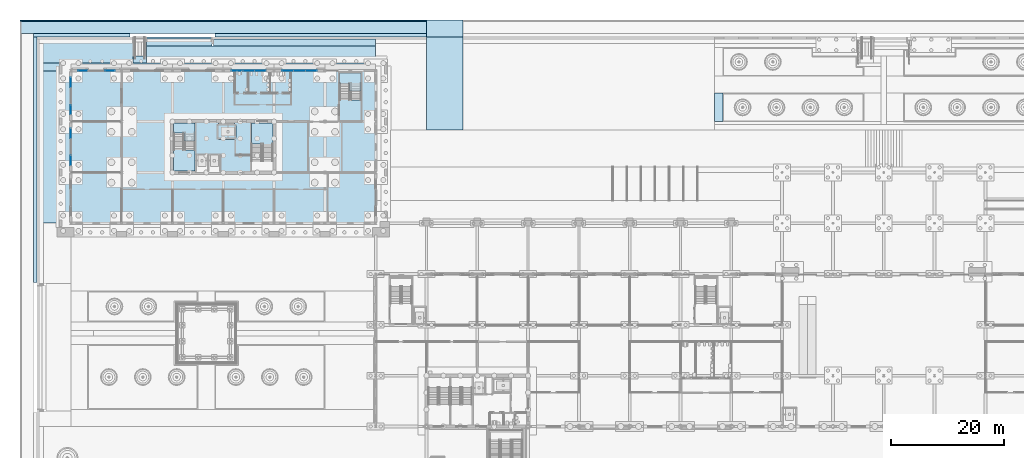
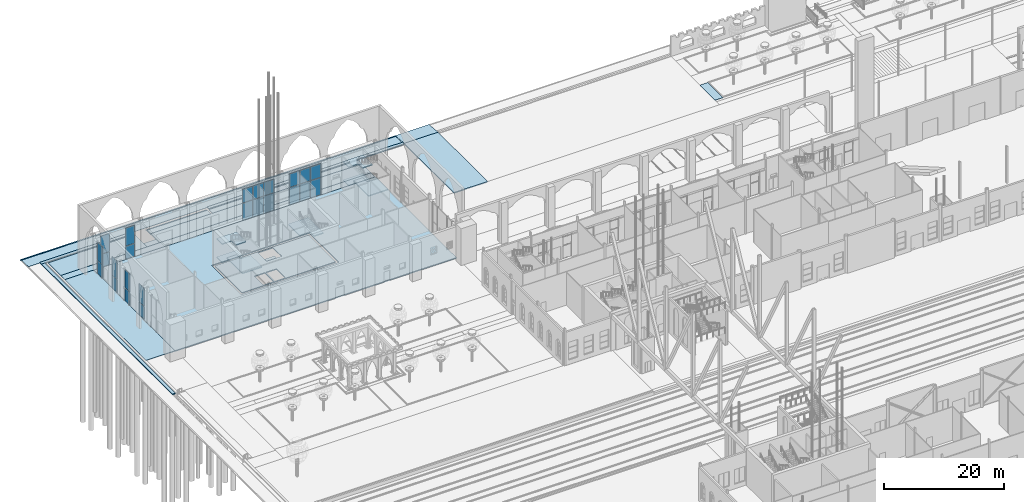
# One storey, part 82 of 250: 26 slabs, 24 plates, 11 elements without a shape of their own.
"""IFC4 building model written with IfcOpenShell, lengths in metres."""

from ifc_helpers import new_model, si_unit, direction, frame, origin, origin_2d, place, context, subcontext, project, spatial, polyline, rectangle, outline, extrude, material, layer, layer_set, type_object, element, aggregate, save


model = new_model("IFC4")

# Units and contexts
model_context = context("Model", 3, precision=1e-05, world=origin(), true_north=direction((0.0, 1.0)))
body_context = subcontext(model_context, "Body", "Model", "MODEL_VIEW")
ifc_project = project(units=[si_unit("LENGTHUNIT", "METRE"), si_unit("AREAUNIT", "SQUARE_METRE"), si_unit("VOLUMEUNIT", "CUBIC_METRE"), si_unit("PLANEANGLEUNIT", "RADIAN"), si_unit("MASSUNIT", "GRAM", prefix="KILO")], contexts=[model_context])

# Site, building, storey
site_placement = place(None, origin())
site = spatial("IfcSite", under=ifc_project, at=site_placement, CompositionType="ELEMENT")
building_placement = place(site_placement, origin())
building = spatial("IfcBuilding", under=site, at=building_placement, Name="Baradari Gate Terminus", CompositionType="ELEMENT")
storey_placement = place(building_placement, origin())
storey = spatial("IfcBuildingStorey", under=building, at=storey_placement, Name="L00", CompositionType="ELEMENT", Elevation=0.0)

# Slabs
ifc_material_1 = material(Name="Concrete C32/40", Category="concrete")
ifc_layer_1 = layer(ifc_material_1, 0.12)
ifc_material_2 = material(Name="Asphalt")
ifc_layer_2 = layer(ifc_material_2, 0.08)
ifc_layer_set_1 = layer_set([ifc_layer_1, ifc_layer_2], Name="Concrete C32/40")
slab_type_1 = type_object("IfcSlabType", Name="Asphalt carriageway slab SL14 200", PredefinedType="BASESLAB", material=ifc_layer_set_1)
slab_1_placement = place(storey_placement, frame((0.0, 0.0, -0.199951171875)))
element("IfcSlab", 1, at=slab_1_placement, inside=storey, type_object=slab_type_1, Name="Forecourt entry drive", PredefinedType="BASESLAB", context=body_context, shape_type="SweptSolid", body=[
    extrude(outline(polyline([(78.5, 133.5), (78.5, 150.0), (72.0, 150.0), (72.0, 133.5), (78.5, 133.5)])), origin(), (0.0, 0.0, 1.0), 0.199951171875),
])
ifc_layer_3 = layer(ifc_material_1, 0.11)
ifc_material_3 = material(Name="Concrete paving flags", Category="concrete")
ifc_layer_4 = layer(ifc_material_3, 0.04)
ifc_layer_set_2 = layer_set([ifc_layer_3, ifc_layer_4], Name="Concrete C32/40")
slab_type_2 = type_object("IfcSlabType", Name="Concrete paving slab SL12 150", PredefinedType="BASESLAB", material=ifc_layer_set_2)
slab_2_placement = place(storey_placement, frame((0.0, 0.0, -0.14990234375)))
element("IfcSlab", 2, at=slab_2_placement, inside=storey, type_object=slab_type_2, Name="West street strip", PredefinedType="BASESLAB", context=body_context, shape_type="SweptSolid", body=[
    extrude(outline(polyline([(9.0, 117.0), (9.0, 144.0), (3.39990234375, 144.0), (3.39990234375, 117.0), (9.0, 117.0)])), origin(), (0.0, 0.0, 1.0), 0.14990234375),
])
slab_3_placement = place(storey_placement, frame((0.0, 0.0, -0.14990234375)))
element("IfcSlab", 3, at=slab_3_placement, inside=storey, type_object=slab_type_2, Name="North street strip 1", PredefinedType="BASESLAB", context=body_context, shape_type="SweptSolid", body=[
    extrude(outline(polyline([(63.0, 144.0), (63.0, 145.3798828125), (3.39990234375, 145.3798828125), (3.39990234375, 144.0), (63.0, 144.0)])), origin(), (0.0, 0.0, 1.0), 0.14990234375),
])
slab_4_placement = place(storey_placement, frame((0.0, 0.0, -0.14990234375)))
element("IfcSlab", 4, at=slab_4_placement, inside=storey, type_object=slab_type_2, Name="North street strip 2", PredefinedType="BASESLAB", context=body_context, shape_type="SweptSolid", body=[
    extrude(outline(polyline([(63.0, 145.3798828125), (63.0, 148.39990234375), (22.39990234375, 148.39990234375), (22.39990234375, 145.3798828125), (63.0, 145.3798828125)])), origin(), (0.0, 0.0, 1.0), 0.14990234375),
])
slab_5_placement = place(storey_placement, frame((0.0, 0.0, -0.14990234375)))
element("IfcSlab", 5, at=slab_5_placement, inside=storey, type_object=slab_type_2, Name="North street strip 3", PredefinedType="BASESLAB", context=body_context, shape_type="SweptSolid", body=[
    extrude(outline(polyline([(20.0, 145.3798828125), (20.0, 149.60009765625), (3.39990234375, 149.60009765625), (3.39990234375, 145.3798828125), (20.0, 145.3798828125)])), origin(), (0.0, 0.0, 1.0), 0.14990234375),
])
slab_6_placement = place(storey_placement, frame((0.0, 0.0, -0.14990234375)))
element("IfcSlab", 6, at=slab_6_placement, inside=storey, type_object=slab_type_2, Name="North street strip 4", PredefinedType="BASESLAB", context=body_context, shape_type="SweptSolid", body=[
    extrude(outline(polyline([(63.0, 148.39990234375), (63.0, 149.60009765625), (34.300048828125, 149.60009765625), (34.300048828125, 148.39990234375), (63.0, 148.39990234375)])), origin(), (0.0, 0.0, 1.0), 0.14990234375),
])

# Curtain wall, plates
ifc_material_4 = material(Name="Aluminium 6063-T6", Category="aluminium")
curtain_wall_type_1 = type_object("IfcCurtainWallType", Name="Curtain wall CW-12 shopfront, other height", PredefinedType="NOTDEFINED", material=ifc_material_4)
curtain_wall_1_placement = place(storey_placement, origin())
curtain_wall_1 = element("IfcCurtainWall", 7, at=curtain_wall_1_placement, inside=storey, type_object=curtain_wall_type_1, Name="Shopfront curtain wall CW-12 TN bay 1 L00", PredefinedType="NOTDEFINED")
ifc_material_5 = material(Name="Insulating glass unit", Category="glass")
ifc_layer_5 = layer(ifc_material_5, 0.02001953125)
ifc_layer_set_3 = layer_set([ifc_layer_5], Name="Insulating glass unit")
plate_type_1 = type_object("IfcPlateType", Name="Curtain wall glazing unit CP-12 20", PredefinedType="CURTAIN_PANEL", material=ifc_layer_set_3)
plate_1_placement = place(storey_placement, frame((11.11279296875, 144.0, 0.06494140625), z_axis=(0.0, 0.0, 1.0), x_axis=(1.0, 0.0, 0.0)))
plate_1 = element("IfcPlate", 8, at=plate_1_placement, type_object=plate_type_1, Name="CW-12 panel 1.1", PredefinedType="CURTAIN_PANEL", context=body_context, shape_type="SweptSolid", body=[
    extrude(rectangle(XDim=1.669921875, YDim=0.02001953125, at=origin_2d()), origin(), (0.0, 0.0, 1.0), 2.6025390625),
])
plate_2_placement = place(storey_placement, frame((11.11279296875, 144.0, 2.732421875), z_axis=(0.0, 0.0, 1.0), x_axis=(1.0, 0.0, 0.0)))
plate_2 = element("IfcPlate", 9, at=plate_2_placement, type_object=plate_type_1, Name="CW-12 panel 1.2", PredefinedType="CURTAIN_PANEL", context=body_context, shape_type="SweptSolid", body=[
    extrude(rectangle(XDim=1.669921875, YDim=0.02001953125, at=origin_2d()), origin(), (0.0, 0.0, 1.0), 3.662109375),
])
aggregate(curtain_wall_1, [plate_1, plate_2])

curtain_wall_2_placement = place(storey_placement, origin())
curtain_wall_2 = element("IfcCurtainWall", 10, at=curtain_wall_2_placement, inside=storey, type_object=curtain_wall_type_1, Name="Shopfront curtain wall CW-12 TN bay 1 L00", PredefinedType="NOTDEFINED")
plate_3_placement = place(storey_placement, frame((15.912841796875, 144.0, 0.06494140625), z_axis=(0.0, 0.0, 1.0), x_axis=(1.0, 0.0, 0.0)))
plate_3 = element("IfcPlate", 11, at=plate_3_placement, type_object=plate_type_1, Name="CW-12 panel 1.1", PredefinedType="CURTAIN_PANEL", context=body_context, shape_type="SweptSolid", body=[
    extrude(rectangle(XDim=1.669921875, YDim=0.02001953125, at=origin_2d()), origin(), (0.0, 0.0, 1.0), 2.6025390625),
])
plate_4_placement = place(storey_placement, frame((15.912841796875, 144.0, 2.732421875), z_axis=(0.0, 0.0, 1.0), x_axis=(1.0, 0.0, 0.0)))
plate_4 = element("IfcPlate", 12, at=plate_4_placement, type_object=plate_type_1, Name="CW-12 panel 1.2", PredefinedType="CURTAIN_PANEL", context=body_context, shape_type="SweptSolid", body=[
    extrude(rectangle(XDim=1.669921875, YDim=0.02001953125, at=origin_2d()), origin(), (0.0, 0.0, 1.0), 3.662109375),
])
aggregate(curtain_wall_2, [plate_3, plate_4])

curtain_wall_3_placement = place(storey_placement, origin())
curtain_wall_3 = element("IfcCurtainWall", 13, at=curtain_wall_3_placement, inside=storey, type_object=curtain_wall_type_1, Name="Shopfront curtain wall CW-12 TW bay 14 L00", PredefinedType="NOTDEFINED")
plate_5_placement = place(storey_placement, frame((9.0, 128.10009765625, 0.06494140625), z_axis=(0.0, 0.0, 1.0), x_axis=(0.0, 1.0, 0.0)))
plate_5 = element("IfcPlate", 14, at=plate_5_placement, type_object=plate_type_1, Name="CW-12 panel 1.1", PredefinedType="CURTAIN_PANEL", context=body_context, shape_type="SweptSolid", body=[
    extrude(rectangle(XDim=1.669921875, YDim=0.02001953125, at=origin_2d()), origin(), (0.0, 0.0, 1.0), 2.6025390625),
])
plate_6_placement = place(storey_placement, frame((9.0, 128.10009765625, 2.732421875), z_axis=(0.0, 0.0, 1.0), x_axis=(0.0, 1.0, 0.0)))
plate_6 = element("IfcPlate", 15, at=plate_6_placement, type_object=plate_type_1, Name="CW-12 panel 1.2", PredefinedType="CURTAIN_PANEL", context=body_context, shape_type="SweptSolid", body=[
    extrude(rectangle(XDim=1.669921875, YDim=0.02001953125, at=origin_2d()), origin(), (0.0, 0.0, 1.0), 3.662109375),
])
aggregate(curtain_wall_3, [plate_5, plate_6])

curtain_wall_4_placement = place(storey_placement, origin())
curtain_wall_4 = element("IfcCurtainWall", 16, at=curtain_wall_4_placement, inside=storey, type_object=curtain_wall_type_1, Name="Shopfront curtain wall CW-12 TW bay 14 L00", PredefinedType="NOTDEFINED")
plate_7_placement = place(storey_placement, frame((9.0, 132.89990234375, 0.06494140625), z_axis=(0.0, 0.0, 1.0), x_axis=(0.0, 1.0, 0.0)))
plate_7 = element("IfcPlate", 17, at=plate_7_placement, type_object=plate_type_1, Name="CW-12 panel 1.1", PredefinedType="CURTAIN_PANEL", context=body_context, shape_type="SweptSolid", body=[
    extrude(rectangle(XDim=1.669921875, YDim=0.02001953125, at=origin_2d()), origin(), (0.0, 0.0, 1.0), 2.6025390625),
])
plate_8_placement = place(storey_placement, frame((9.0, 132.89990234375, 2.732421875), z_axis=(0.0, 0.0, 1.0), x_axis=(0.0, 1.0, 0.0)))
plate_8 = element("IfcPlate", 18, at=plate_8_placement, type_object=plate_type_1, Name="CW-12 panel 1.2", PredefinedType="CURTAIN_PANEL", context=body_context, shape_type="SweptSolid", body=[
    extrude(rectangle(XDim=1.669921875, YDim=0.02001953125, at=origin_2d()), origin(), (0.0, 0.0, 1.0), 3.662109375),
])
aggregate(curtain_wall_4, [plate_7, plate_8])

curtain_wall_5_placement = place(storey_placement, origin())
curtain_wall_5 = element("IfcCurtainWall", 19, at=curtain_wall_5_placement, inside=storey, type_object=curtain_wall_type_1, Name="Shopfront curtain wall CW-12 TW bay 15 L00", PredefinedType="NOTDEFINED")
plate_9_placement = place(storey_placement, frame((9.0, 137.10009765625, 0.06494140625), z_axis=(0.0, 0.0, 1.0), x_axis=(0.0, 1.0, 0.0)))
plate_9 = element("IfcPlate", 20, at=plate_9_placement, type_object=plate_type_1, Name="CW-12 panel 1.1", PredefinedType="CURTAIN_PANEL", context=body_context, shape_type="SweptSolid", body=[
    extrude(rectangle(XDim=1.669921875, YDim=0.02001953125, at=origin_2d()), origin(), (0.0, 0.0, 1.0), 2.6025390625),
])
plate_10_placement = place(storey_placement, frame((9.0, 137.10009765625, 2.732421875), z_axis=(0.0, 0.0, 1.0), x_axis=(0.0, 1.0, 0.0)))
plate_10 = element("IfcPlate", 21, at=plate_10_placement, type_object=plate_type_1, Name="CW-12 panel 1.2", PredefinedType="CURTAIN_PANEL", context=body_context, shape_type="SweptSolid", body=[
    extrude(rectangle(XDim=1.669921875, YDim=0.02001953125, at=origin_2d()), origin(), (0.0, 0.0, 1.0), 3.662109375),
])
aggregate(curtain_wall_5, [plate_9, plate_10])

curtain_wall_6_placement = place(storey_placement, origin())
curtain_wall_6 = element("IfcCurtainWall", 22, at=curtain_wall_6_placement, inside=storey, type_object=curtain_wall_type_1, Name="Shopfront curtain wall CW-12 TW bay 15 L00", PredefinedType="NOTDEFINED")
plate_11_placement = place(storey_placement, frame((9.0, 141.89990234375, 0.06494140625), z_axis=(0.0, 0.0, 1.0), x_axis=(0.0, 1.0, 0.0)))
plate_11 = element("IfcPlate", 23, at=plate_11_placement, type_object=plate_type_1, Name="CW-12 panel 1.1", PredefinedType="CURTAIN_PANEL", context=body_context, shape_type="SweptSolid", body=[
    extrude(rectangle(XDim=1.669921875, YDim=0.02001953125, at=origin_2d()), origin(), (0.0, 0.0, 1.0), 2.6025390625),
])
plate_12_placement = place(storey_placement, frame((9.0, 141.89990234375, 2.732421875), z_axis=(0.0, 0.0, 1.0), x_axis=(0.0, 1.0, 0.0)))
plate_12 = element("IfcPlate", 24, at=plate_12_placement, type_object=plate_type_1, Name="CW-12 panel 1.2", PredefinedType="CURTAIN_PANEL", context=body_context, shape_type="SweptSolid", body=[
    extrude(rectangle(XDim=1.669921875, YDim=0.02001953125, at=origin_2d()), origin(), (0.0, 0.0, 1.0), 3.662109375),
])
aggregate(curtain_wall_6, [plate_11, plate_12])

ifc_material_6 = material(Name="Aluminium 6063-T6", Category="aluminium")
curtain_wall_type_2 = type_object("IfcCurtainWallType", Name="Curtain wall CW-7 lobby and lounge glazing", PredefinedType="NOTDEFINED", material=ifc_material_6)
curtain_wall_7_placement = place(storey_placement, origin())
curtain_wall_7 = element("IfcCurtainWall", 25, at=curtain_wall_7_placement, inside=storey, type_object=curtain_wall_type_2, Name="Glazed curtain wall CW-7 TN bay 5 L00", PredefinedType="NOTDEFINED")
ifc_material_7 = material(Name="Insulating glass unit", Category="glass")
ifc_layer_6 = layer(ifc_material_7, 0.030029296875)
ifc_layer_set_4 = layer_set([ifc_layer_6], Name="Insulating glass unit")
plate_type_2 = type_object("IfcPlateType", Name="Curtain wall glazing unit CP-7 30", PredefinedType="CURTAIN_PANEL", material=ifc_layer_set_4)
plate_13_placement = place(storey_placement, frame((38.452880859375, 144.0, 0.080078125), z_axis=(0.0, 0.0, 1.0), x_axis=(1.0, 0.0, 0.0)))
plate_13 = element("IfcPlate", 26, at=plate_13_placement, type_object=plate_type_2, Name="CW-7 panel 1.1", PredefinedType="CURTAIN_PANEL", context=body_context, shape_type="SweptSolid", body=[
    extrude(rectangle(XDim=1.947021484375, YDim=0.030029296875, at=origin_2d()), origin(), (0.0, 0.0, 1.0), 3.47998046875),
])
plate_14_placement = place(storey_placement, frame((38.452880859375, 144.0, 3.64013671875), z_axis=(0.0, 0.0, 1.0), x_axis=(1.0, 0.0, 0.0)))
plate_14 = element("IfcPlate", 27, at=plate_14_placement, type_object=plate_type_2, Name="CW-7 panel 1.2", PredefinedType="CURTAIN_PANEL", context=body_context, shape_type="SweptSolid", body=[
    extrude(rectangle(XDim=1.947021484375, YDim=0.030029296875, at=origin_2d()), origin(), (0.0, 0.0, 1.0), 2.739501953125),
])
plate_15_placement = place(storey_placement, frame((40.5, 144.0, 0.080078125), z_axis=(0.0, 0.0, 1.0), x_axis=(1.0, 0.0, 0.0)))
plate_15 = element("IfcPlate", 28, at=plate_15_placement, type_object=plate_type_2, Name="CW-7 panel 2.1", PredefinedType="CURTAIN_PANEL", context=body_context, shape_type="SweptSolid", body=[
    extrude(rectangle(XDim=1.987060546875, YDim=0.030029296875, at=origin_2d()), origin(), (0.0, 0.0, 1.0), 3.47998046875),
])
plate_16_placement = place(storey_placement, frame((40.5, 144.0, 3.64013671875), z_axis=(0.0, 0.0, 1.0), x_axis=(1.0, 0.0, 0.0)))
plate_16 = element("IfcPlate", 29, at=plate_16_placement, type_object=plate_type_2, Name="CW-7 panel 2.2", PredefinedType="CURTAIN_PANEL", context=body_context, shape_type="SweptSolid", body=[
    extrude(rectangle(XDim=1.987060546875, YDim=0.030029296875, at=origin_2d()), origin(), (0.0, 0.0, 1.0), 2.739501953125),
])
plate_17_placement = place(storey_placement, frame((42.547119140625, 144.0, 0.080078125), z_axis=(0.0, 0.0, 1.0), x_axis=(1.0, 0.0, 0.0)))
plate_17 = element("IfcPlate", 30, at=plate_17_placement, type_object=plate_type_2, Name="CW-7 panel 3.1", PredefinedType="CURTAIN_PANEL", context=body_context, shape_type="SweptSolid", body=[
    extrude(rectangle(XDim=1.947021484375, YDim=0.030029296875, at=origin_2d()), origin(), (0.0, 0.0, 1.0), 3.47998046875),
])
plate_18_placement = place(storey_placement, frame((42.547119140625, 144.0, 3.64013671875), z_axis=(0.0, 0.0, 1.0), x_axis=(1.0, 0.0, 0.0)))
plate_18 = element("IfcPlate", 31, at=plate_18_placement, type_object=plate_type_2, Name="CW-7 panel 3.2", PredefinedType="CURTAIN_PANEL", context=body_context, shape_type="SweptSolid", body=[
    extrude(rectangle(XDim=1.947021484375, YDim=0.030029296875, at=origin_2d()), origin(), (0.0, 0.0, 1.0), 2.739501953125),
])
aggregate(curtain_wall_7, [plate_13, plate_14, plate_15, plate_16, plate_17, plate_18])

curtain_wall_8_placement = place(storey_placement, origin())
curtain_wall_8 = element("IfcCurtainWall", 32, at=curtain_wall_8_placement, inside=storey, type_object=curtain_wall_type_2, Name="Glazed curtain wall CW-7 TN bay 6 L00", PredefinedType="NOTDEFINED")
plate_19_placement = place(storey_placement, frame((47.452880859375, 144.0, 0.080078125), z_axis=(0.0, 0.0, 1.0), x_axis=(1.0, 0.0, 0.0)))
plate_19 = element("IfcPlate", 33, at=plate_19_placement, type_object=plate_type_2, Name="CW-7 panel 1.1", PredefinedType="CURTAIN_PANEL", context=body_context, shape_type="SweptSolid", body=[
    extrude(rectangle(XDim=1.947021484375, YDim=0.030029296875, at=origin_2d()), origin(), (0.0, 0.0, 1.0), 3.47998046875),
])
plate_20_placement = place(storey_placement, frame((47.452880859375, 144.0, 3.64013671875), z_axis=(0.0, 0.0, 1.0), x_axis=(1.0, 0.0, 0.0)))
plate_20 = element("IfcPlate", 34, at=plate_20_placement, type_object=plate_type_2, Name="CW-7 panel 1.2", PredefinedType="CURTAIN_PANEL", context=body_context, shape_type="SweptSolid", body=[
    extrude(rectangle(XDim=1.947021484375, YDim=0.030029296875, at=origin_2d()), origin(), (0.0, 0.0, 1.0), 2.739501953125),
])
plate_21_placement = place(storey_placement, frame((49.5, 144.0, 0.080078125), z_axis=(0.0, 0.0, 1.0), x_axis=(1.0, 0.0, 0.0)))
plate_21 = element("IfcPlate", 35, at=plate_21_placement, type_object=plate_type_2, Name="CW-7 panel 2.1", PredefinedType="CURTAIN_PANEL", context=body_context, shape_type="SweptSolid", body=[
    extrude(rectangle(XDim=1.987060546875, YDim=0.030029296875, at=origin_2d()), origin(), (0.0, 0.0, 1.0), 3.47998046875),
])
plate_22_placement = place(storey_placement, frame((49.5, 144.0, 3.64013671875), z_axis=(0.0, 0.0, 1.0), x_axis=(1.0, 0.0, 0.0)))
plate_22 = element("IfcPlate", 36, at=plate_22_placement, type_object=plate_type_2, Name="CW-7 panel 2.2", PredefinedType="CURTAIN_PANEL", context=body_context, shape_type="SweptSolid", body=[
    extrude(rectangle(XDim=1.987060546875, YDim=0.030029296875, at=origin_2d()), origin(), (0.0, 0.0, 1.0), 2.739501953125),
])
plate_23_placement = place(storey_placement, frame((51.547119140625, 144.0, 0.080078125), z_axis=(0.0, 0.0, 1.0), x_axis=(1.0, 0.0, 0.0)))
plate_23 = element("IfcPlate", 37, at=plate_23_placement, type_object=plate_type_2, Name="CW-7 panel 3.1", PredefinedType="CURTAIN_PANEL", context=body_context, shape_type="SweptSolid", body=[
    extrude(rectangle(XDim=1.947021484375, YDim=0.030029296875, at=origin_2d()), origin(), (0.0, 0.0, 1.0), 3.47998046875),
])
plate_24_placement = place(storey_placement, frame((51.547119140625, 144.0, 3.64013671875), z_axis=(0.0, 0.0, 1.0), x_axis=(1.0, 0.0, 0.0)))
plate_24 = element("IfcPlate", 38, at=plate_24_placement, type_object=plate_type_2, Name="CW-7 panel 3.2", PredefinedType="CURTAIN_PANEL", context=body_context, shape_type="SweptSolid", body=[
    extrude(rectangle(XDim=1.947021484375, YDim=0.030029296875, at=origin_2d()), origin(), (0.0, 0.0, 1.0), 2.739501953125),
])
aggregate(curtain_wall_8, [plate_19, plate_20, plate_21, plate_22, plate_23, plate_24])

# Slabs
ifc_layer_7 = layer(ifc_material_1, 0.03)
ifc_layer_8 = layer(ifc_material_2, 0.04)
ifc_layer_set_5 = layer_set([ifc_layer_7, ifc_layer_8], Name="Concrete C32/40")
slab_type_3 = type_object("IfcSlabType", Name="Dropped-kerb vehicle crossing slab SL22 70", PredefinedType="BASESLAB", material=ifc_layer_set_5)
slab_7_placement = place(storey_placement, frame((72.0, 153.0, -0.260009765625), z_axis=(0.0, 0.086346226202, 0.996265190208), x_axis=(1.0, 0.0, 0.0)))
element("IfcSlab", 39, at=slab_7_placement, inside=storey, type_object=slab_type_3, Name="Dropped-kerb crossing Forecourt entry drive", PredefinedType="BASESLAB", context=body_context, shape_type="SweptSolid", body=[
    extrude(outline(polyline([(0.0, 0.0), (6.5, 0.0), (6.5, -3.011246432662124), (0.0, -3.011246432662124), (0.0, 0.0)])), origin(), (0.0, 0.0, -1.0), 0.070068359375),
])
ifc_material_8 = material(Name="Concrete C32/40", Category="concrete")
ifc_layer_9 = layer(ifc_material_8, 0.260009765625)
ifc_layer_set_6 = layer_set([ifc_layer_9], Name="Concrete C32/40")
slab_type_4 = type_object("IfcSlabType", Name="Entrance landing slab SL15 260", PredefinedType="BASESLAB", material=ifc_layer_set_6)
slab_8_placement = place(storey_placement, frame((0.0, 0.0, -0.260009765625)))
element("IfcSlab", 40, at=slab_8_placement, inside=storey, type_object=slab_type_4, Name="Entrance landing North-west gate steps", PredefinedType="BASESLAB", context=body_context, shape_type="SweptSolid", body=[
    extrude(outline(polyline([(34.0, 148.39990234375), (34.0, 149.60009765625), (22.39990234375, 149.60009765625), (22.39990234375, 148.39990234375), (34.0, 148.39990234375)])), origin(), (0.0, 0.0, 1.0), 0.260009765625),
])
slab_9_placement = place(storey_placement, frame((0.0, 0.0, -0.260009765625)))
element("IfcSlab", 41, at=slab_9_placement, inside=storey, type_object=slab_type_4, Name="Entrance landing North-west gate ramp", PredefinedType="BASESLAB", context=body_context, shape_type="SweptSolid", body=[
    extrude(outline(polyline([(22.39990234375, 145.3798828125), (22.39990234375, 146.580078125), (20.0, 146.580078125), (20.0, 145.3798828125), (22.39990234375, 145.3798828125)])), origin(), (0.0, 0.0, 1.0), 0.260009765625),
])
ifc_material_9 = material(Name="Concrete C32/40", Category="concrete")
ifc_layer_10 = layer(ifc_material_9, 0.1298828125)
ifc_layer_set_7 = layer_set([ifc_layer_10], Name="Concrete C32/40")
slab_type_5 = type_object("IfcSlabType", Name="Entrance step slab SL16 130", PredefinedType="LANDING", material=ifc_layer_set_7)
slab_10_placement = place(storey_placement, frame((0.0, 0.0, -0.260009765625)))
element("IfcSlab", 42, at=slab_10_placement, inside=storey, type_object=slab_type_5, Name="Entrance step 1 North-west gate", PredefinedType="LANDING", context=body_context, shape_type="SweptSolid", body=[
    extrude(outline(polyline([(34.0, 149.60009765625), (34.0, 149.998046875), (22.39990234375, 149.998046875), (22.39990234375, 149.60009765625), (34.0, 149.60009765625)])), origin(), (0.0, 0.0, 1.0), 0.130126953125),
])
ifc_layer_11 = layer(ifc_material_1, 0.04)
ifc_layer_12 = layer(ifc_material_3, 0.04)
ifc_layer_set_8 = layer_set([ifc_layer_11, ifc_layer_12], Name="Concrete C32/40")
slab_type_6 = type_object("IfcSlabType", Name="Footpath paving slab SL19 80", PredefinedType="BASESLAB", material=ifc_layer_set_8)
slab_11_placement = place(storey_placement, frame((0.0, 0.0, -0.340087890625)))
element("IfcSlab", 43, at=slab_11_placement, inside=storey, type_object=slab_type_6, Name="Footpath 10", PredefinedType="BASESLAB", context=body_context, shape_type="SweptSolid", body=[
    extrude(outline(polyline([(72.0, 150.60009765625), (72.0, 152.800048828125), (0.199951171875, 152.800048828125), (0.199951171875, 150.60009765625), (72.0, 150.60009765625)])), origin(), (0.0, 0.0, 1.0), 0.080078125),
])
ifc_layer_13 = layer(ifc_material_1, 0.04)
ifc_material_10 = material(Name="Granite kerb", Category="masonry")
ifc_layer_14 = layer(ifc_material_10, 0.04)
ifc_layer_set_9 = layer_set([ifc_layer_13, ifc_layer_14], Name="Concrete C32/40")
slab_type_7 = type_object("IfcSlabType", Name="Granite kerb course SL20 80", PredefinedType="BASESLAB", material=ifc_layer_set_9)
slab_12_placement = place(storey_placement, frame((0.0, 0.0, -0.340087890625)))
element("IfcSlab", 44, at=slab_12_placement, inside=storey, type_object=slab_type_7, Name="Kerb course 10", PredefinedType="BASESLAB", context=body_context, shape_type="SweptSolid", body=[
    extrude(outline(polyline([(72.0, 152.800048828125), (72.0, 153.0), (0.0, 153.0), (0.0, 152.800048828125), (72.0, 152.800048828125)])), origin(), (0.0, 0.0, 1.0), 0.080078125),
])
ifc_material_11 = material(Name="Concrete C35/45", Category="concrete")
ifc_layer_15 = layer(ifc_material_11, 0.199951171875)
ifc_layer_set_10 = layer_set([ifc_layer_15], Name="Concrete C35/45")
slab_type_8 = type_object("IfcSlabType", Name="Ground slab SL3 200", PredefinedType="BASESLAB", material=ifc_layer_set_10)
slab_13_placement = place(storey_placement, frame((0.0, 0.0, -0.199951171875)))
element("IfcSlab", 45, at=slab_13_placement, inside=storey, type_object=slab_type_8, Name="Block floor", PredefinedType="BASESLAB", context=body_context, shape_type="SweptSolid", body=[
    extrude(outline(polyline([(63.0, 144.0), (9.0, 144.0), (9.0, 117.0), (63.0, 117.0), (63.0, 144.0)]), holes=[polyline([(45.375, 134.77490234375), (45.375, 135.375), (26.625, 135.375), (26.625, 134.77490234375), (26.625, 126.22509765625), (26.625, 125.625), (45.375, 125.625), (45.375, 126.22509765625), (45.375, 134.77490234375)])]), origin(), (0.0, 0.0, 1.0), 0.199951171875),
])
slab_14_placement = place(storey_placement, frame((0.0, 0.0, -0.199951171875)))
element("IfcSlab", 46, at=slab_14_placement, inside=storey, type_object=slab_type_8, Name="Core floor CT", PredefinedType="BASESLAB", context=body_context, shape_type="SweptSolid", body=[
    extrude(outline(polyline([(45.0, 135.0), (27.0, 135.0), (27.0, 126.0), (45.0, 126.0), (45.0, 135.0)]), holes=[polyline([(38.02490234375, 134.77490234375), (35.125, 134.77490234375), (35.125, 131.875), (38.02490234375, 131.875), (38.02490234375, 134.77490234375)]), polyline([(33.425048828125, 129.125), (33.425048828125, 126.22509765625), (35.425048828125, 126.22509765625), (35.425048828125, 129.125), (33.425048828125, 129.125)]), polyline([(31.22509765625, 126.22509765625), (33.22509765625, 126.22509765625), (33.22509765625, 129.125), (31.22509765625, 129.125), (31.22509765625, 126.22509765625)])]), origin(), (0.0, 0.0, 1.0), 0.199951171875),
])
ifc_material_12 = material(Name="Concrete C32/40", Category="concrete")
ifc_layer_16 = layer(ifc_material_12, 0.300048828125)
ifc_layer_set_11 = layer_set([ifc_layer_16], Name="Concrete C32/40")
slab_type_9 = type_object("IfcSlabType", Name="Lift pit slab LP-1 300", PredefinedType="BASESLAB", material=ifc_layer_set_11)
slab_15_placement = place(storey_placement, frame((0.0, 0.0, -1.89990234375)))
element("IfcSlab", 47, at=slab_15_placement, inside=storey, type_object=slab_type_9, Name="Lift pit slab LP-1 LT3", PredefinedType="BASESLAB", context=body_context, shape_type="SweptSolid", body=[
    extrude(outline(polyline([(34.925048828125, 131.925048828125), (34.925048828125, 134.52490234375), (38.22509765625, 134.52490234375), (38.22509765625, 131.925048828125), (34.925048828125, 131.925048828125)])), origin(), (0.0, 0.0, 1.0), 0.2998046875),
])
ifc_layer_17 = layer(ifc_material_1, 0.11)
ifc_material_13 = material(Name="Sandstone paving", Category="masonry")
ifc_layer_18 = layer(ifc_material_13, 0.04)
ifc_layer_set_12 = layer_set([ifc_layer_17, ifc_layer_18], Name="Concrete C32/40")
slab_type_10 = type_object("IfcSlabType", Name="Sandstone paving slab SL13 150", PredefinedType="BASESLAB", material=ifc_layer_set_12)
slab_16_placement = place(storey_placement, frame((0.0, 0.0, -0.14990234375)))
element("IfcSlab", 48, at=slab_16_placement, inside=storey, type_object=slab_type_10, Name="Charbagh walks 7", PredefinedType="BASESLAB", context=body_context, shape_type="SweptSolid", body=[
    extrude(outline(polyline([(124.5, 135.0), (124.5, 140.050048828125), (123.0, 140.050048828125), (123.0, 135.0), (124.5, 135.0)])), origin(), (0.0, 0.0, 1.0), 0.14990234375),
])
ifc_material_14 = material(Name="Sandstone masonry", Category="masonry")
ifc_layer_19 = layer(ifc_material_14, 0.2099609375)
ifc_layer_set_13 = layer_set([ifc_layer_19], Name="Sandstone masonry")
slab_type_11 = type_object("IfcSlabType", Name="Sandstone plinth step PL-1 210", PredefinedType="BASESLAB", material=ifc_layer_set_13)
slab_17_placement = place(storey_placement, frame((0.0, 0.0, -0.340087890625)))
element("IfcSlab", 49, at=slab_17_placement, inside=storey, type_object=slab_type_11, Name="Plinth step 12", PredefinedType="BASESLAB", context=body_context, shape_type="SweptSolid", body=[
    extrude(outline(polyline([(72.0, 150.0), (72.0, 150.60009765625), (34.5, 150.60009765625), (34.5, 150.0), (72.0, 150.0)])), origin(), (0.0, 0.0, 1.0), 0.210205078125),
])
slab_18_placement = place(storey_placement, frame((0.0, 0.0, -0.340087890625)))
element("IfcSlab", 50, at=slab_18_placement, inside=storey, type_object=slab_type_11, Name="Plinth step 13", PredefinedType="BASESLAB", context=body_context, shape_type="SweptSolid", body=[
    extrude(outline(polyline([(3.0, 106.5), (3.0, 150.0), (2.39990234375, 150.0), (2.39990234375, 106.5), (3.0, 106.5)])), origin(), (0.0, 0.0, 1.0), 0.210205078125),
])
slab_19_placement = place(storey_placement, frame((0.0, 0.0, -0.340087890625)))
element("IfcSlab", 51, at=slab_19_placement, inside=storey, type_object=slab_type_11, Name="Plinth step 14", PredefinedType="BASESLAB", context=body_context, shape_type="SweptSolid", body=[
    extrude(outline(polyline([(19.5, 150.0), (19.5, 150.60009765625), (2.39990234375, 150.60009765625), (2.39990234375, 150.0), (19.5, 150.0)])), origin(), (0.0, 0.0, 1.0), 0.210205078125),
])

# Stair, slabs
ifc_material_15 = material(Name="Concrete C32/40", Category="concrete")
stair_type_1 = type_object("IfcStairType", Name="Exit stair ST-T1 riser 170 x 1800", PredefinedType="DOUBLE_RETURN_STAIR", material=ifc_material_15)
stair_1_placement = place(storey_placement, origin())
stair_1 = element("IfcStair", 52, at=stair_1_placement, inside=storey, type_object=stair_type_1, Name="Stair ST-T1 L00 to L01", PredefinedType="DOUBLE_RETURN_STAIR")
ifc_material_16 = material(Name="Concrete C32/40", Category="concrete")
ifc_layer_20 = layer(ifc_material_16, 0.199951171875)
ifc_layer_set_14 = layer_set([ifc_layer_20], Name="Concrete C32/40")
slab_type_12 = type_object("IfcSlabType", Name="Stair landing LS-1 200", PredefinedType="LANDING", material=ifc_layer_set_14)
slab_20_placement = place(storey_placement, frame((0.0, 0.0, 1.675048828125)))
slab_20 = element("IfcSlab", 53, at=slab_20_placement, type_object=slab_type_12, Name="ST-T1 landing 1", PredefinedType="LANDING", context=body_context, shape_type="SweptSolid", body=[
    extrude(outline(polyline([(27.22509765625, 134.77490234375), (27.22509765625, 132.955078125), (29.02490234375, 132.955078125), (29.02490234375, 131.574951171875), (29.22509765625, 131.574951171875), (31.02490234375, 131.574951171875), (31.02490234375, 134.77490234375), (27.22509765625, 134.77490234375)])), origin(), (0.0, 0.0, 1.0), 0.199951171875),
])
slab_21_placement = place(storey_placement, frame((0.0, 0.0, 3.550048828125)))
slab_21 = element("IfcSlab", 54, at=slab_21_placement, type_object=slab_type_12, Name="ST-T1 landing 2", PredefinedType="LANDING", context=body_context, shape_type="SweptSolid", body=[
    extrude(outline(polyline([(27.22509765625, 126.22509765625), (27.22509765625, 131.375), (29.02490234375, 131.375), (29.02490234375, 129.9951171875), (29.22509765625, 129.9951171875), (31.02490234375, 129.9951171875), (31.02490234375, 126.22509765625), (27.22509765625, 126.22509765625)])), origin(), (0.0, 0.0, 1.0), 0.199951171875),
])
slab_22_placement = place(storey_placement, frame((0.0, 0.0, 5.425048828125)))
slab_22 = element("IfcSlab", 55, at=slab_22_placement, type_object=slab_type_12, Name="ST-T1 landing 3", PredefinedType="LANDING", context=body_context, shape_type="SweptSolid", body=[
    extrude(outline(polyline([(27.22509765625, 134.77490234375), (27.22509765625, 132.955078125), (29.02490234375, 132.955078125), (29.02490234375, 131.574951171875), (29.22509765625, 131.574951171875), (31.02490234375, 131.574951171875), (31.02490234375, 134.77490234375), (27.22509765625, 134.77490234375)])), origin(), (0.0, 0.0, 1.0), 0.199951171875),
])
aggregate(stair_1, [slab_20, slab_21, slab_22])

# Stair, slab
ifc_material_17 = material(Name="Concrete C32/40", Category="concrete")
stair_type_2 = type_object("IfcStairType", Name="Exit stair ST-T2 riser 170 x 1800", PredefinedType="DOUBLE_RETURN_STAIR", material=ifc_material_17)
stair_2_placement = place(storey_placement, origin())
stair_2 = element("IfcStair", 56, at=stair_2_placement, inside=storey, type_object=stair_type_2, Name="Stair ST-T2 L00 to L01", PredefinedType="DOUBLE_RETURN_STAIR")
slab_23_placement = place(storey_placement, frame((0.0, 0.0, 3.550048828125)))
slab_23 = element("IfcSlab", 57, at=slab_23_placement, type_object=slab_type_12, Name="ST-T2 landing 2", PredefinedType="LANDING", context=body_context, shape_type="SweptSolid", body=[
    extrude(outline(polyline([(44.77490234375, 134.77490234375), (44.77490234375, 129.625), (42.97509765625, 129.625), (42.97509765625, 131.0048828125), (42.77490234375, 131.0048828125), (40.97509765625, 131.0048828125), (40.97509765625, 134.77490234375), (44.77490234375, 134.77490234375)])), origin(), (0.0, 0.0, 1.0), 0.199951171875),
])
aggregate(stair_2, [slab_23])

# Stair, slabs
ifc_material_18 = material(Name="Concrete C32/40", Category="concrete")
stair_type_3 = type_object("IfcStairType", Name="Exit stair ST-T3 riser 170 x 1800", PredefinedType="DOUBLE_RETURN_STAIR", material=ifc_material_18)
stair_3_placement = place(storey_placement, origin())
stair_3 = element("IfcStair", 58, at=stair_3_placement, inside=storey, type_object=stair_type_3, Name="Stair ST-T3 L00 to L01", PredefinedType="DOUBLE_RETURN_STAIR")
slab_24_placement = place(storey_placement, frame((0.0, 0.0, 1.675048828125)))
slab_24 = element("IfcSlab", 59, at=slab_24_placement, type_object=slab_type_12, Name="ST-T3 landing 1", PredefinedType="LANDING", context=body_context, shape_type="SweptSolid", body=[
    extrude(outline(polyline([(56.60009765625, 143.60009765625), (56.60009765625, 141.780029296875), (58.39990234375, 141.780029296875), (58.39990234375, 140.39990234375), (58.60009765625, 140.39990234375), (60.39990234375, 140.39990234375), (60.39990234375, 143.60009765625), (56.60009765625, 143.60009765625)])), origin(), (0.0, 0.0, 1.0), 0.199951171875),
])
slab_25_placement = place(storey_placement, frame((0.0, 0.0, 3.550048828125)))
slab_25 = element("IfcSlab", 60, at=slab_25_placement, type_object=slab_type_12, Name="ST-T3 landing 2", PredefinedType="LANDING", context=body_context, shape_type="SweptSolid", body=[
    extrude(outline(polyline([(56.60009765625, 135.199951171875), (56.60009765625, 140.199951171875), (58.39990234375, 140.199951171875), (58.39990234375, 138.820068359375), (58.60009765625, 138.820068359375), (60.39990234375, 138.820068359375), (60.39990234375, 135.199951171875), (56.60009765625, 135.199951171875)])), origin(), (0.0, 0.0, 1.0), 0.199951171875),
])
slab_26_placement = place(storey_placement, frame((0.0, 0.0, 5.425048828125)))
slab_26 = element("IfcSlab", 61, at=slab_26_placement, type_object=slab_type_12, Name="ST-T3 landing 3", PredefinedType="LANDING", context=body_context, shape_type="SweptSolid", body=[
    extrude(outline(polyline([(56.60009765625, 143.60009765625), (56.60009765625, 141.780029296875), (58.39990234375, 141.780029296875), (58.39990234375, 140.39990234375), (58.60009765625, 140.39990234375), (60.39990234375, 140.39990234375), (60.39990234375, 143.60009765625), (56.60009765625, 143.60009765625)])), origin(), (0.0, 0.0, 1.0), 0.199951171875),
])
aggregate(stair_3, [slab_24, slab_25, slab_26])

save(model, "model.ifc")
